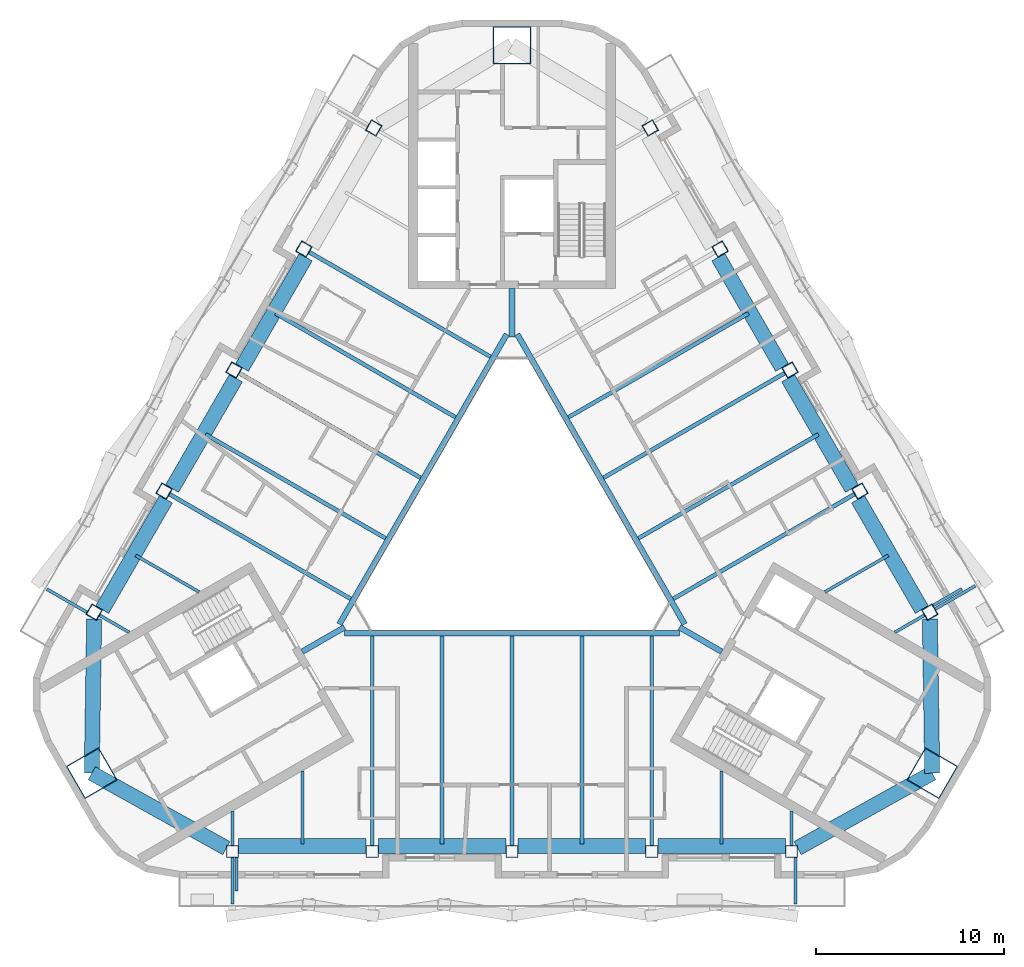
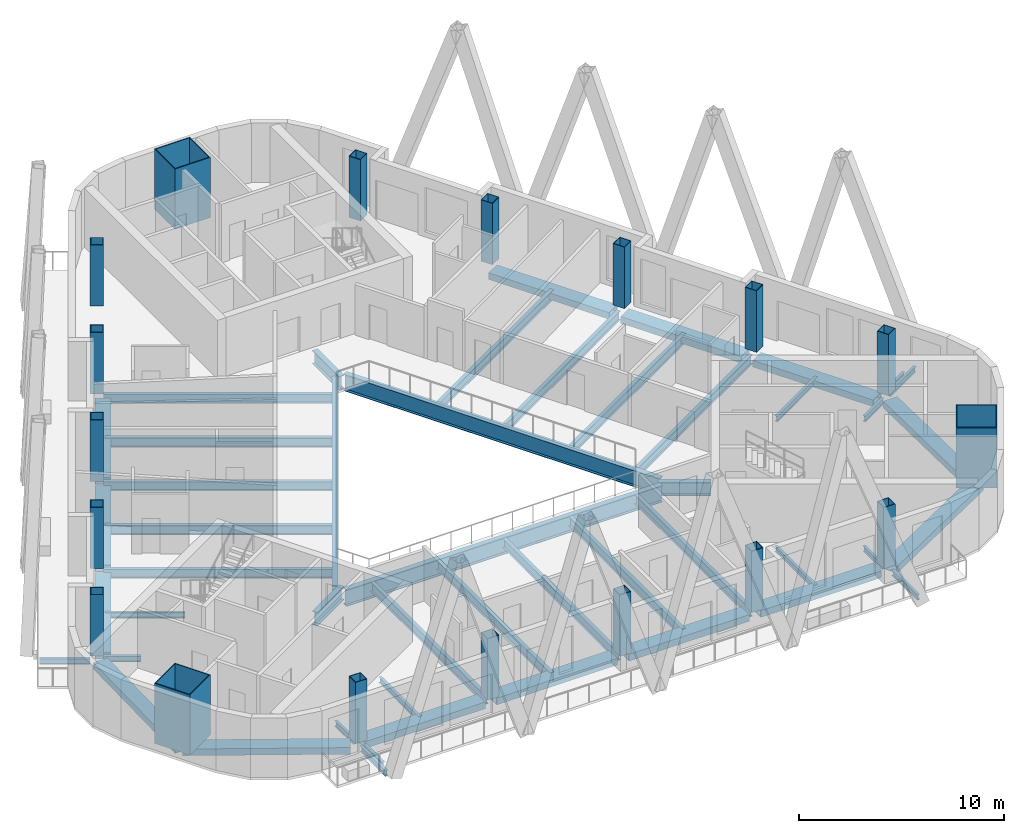
# One storey, part 1 of 14: 48 beams, 18 columns.
"""IFC4 building model written with IfcOpenShell, lengths in metres."""

from ifc_helpers import new_model, si_unit, direction, frame, origin, origin_2d, place, context, subcontext, project, spatial, rectangle, hollow_rectangle, i_section, extrude, boolean, halfspace, material, material_profile, profile_set, type_object, element, save


model = new_model("IFC4")

# Units and contexts
model_context = context("Model", 3, precision=1e-05, world=origin(), true_north=direction((0.0, 1.0)))
body_context = subcontext(model_context, "Body", "Model", "MODEL_VIEW")
ifc_project = project(units=[si_unit("LENGTHUNIT", "METRE"), si_unit("AREAUNIT", "SQUARE_METRE"), si_unit("VOLUMEUNIT", "CUBIC_METRE"), si_unit("PLANEANGLEUNIT", "RADIAN"), si_unit("MASSUNIT", "GRAM", prefix="KILO")], contexts=[model_context])

# Site, building, storey
site_placement = place(None, origin())
site = spatial("IfcSite", under=ifc_project, at=site_placement, CompositionType="ELEMENT")
building_placement = place(site_placement, origin())
building = spatial("IfcBuilding", under=site, at=building_placement, Name="Apuvela Tower Hotel", CompositionType="ELEMENT")
storey_placement = place(building_placement, frame((0.0, 0.0, 268.89990234375)))
storey = spatial("IfcBuildingStorey", under=building, at=storey_placement, Name="L66", CompositionType="ELEMENT", Elevation=268.89990234375)

# Columns
ifc_material_1 = material(Name="Steel S460", Category="steel")
ifc_material_profile_1 = material_profile(ifc_material_1, hollow_rectangle(XDim=2.0, YDim=2.0, WallThickness=0.050048828125, at=origin_2d()), Name="BOX 2000x2000x50")
ifc_material_2 = material(Name="Concrete C80/95", Category="concrete")
ifc_material_profile_2 = material_profile(ifc_material_2, rectangle(XDim=1.89990234375, YDim=1.89990234375, at=origin_2d()), Name="Concrete C80/95 infill")
ifc_profile_set_1 = profile_set([ifc_material_profile_1, ifc_material_profile_2], Name="Steel S460")
column_type_1 = type_object("IfcColumnType", Name="STR-MC mega column BOX 2000x2000x50", PredefinedType="COLUMN", material=ifc_profile_set_1)
for number, where, z_axis, x_axis, name in (
    (1, (0.0, 25.842529296875, 0.0), (0.0, 0.0, 1.0), (1.0, 0.0, 0.0), "Mega column MC4 N"),
    (2, (-22.38037109375, -12.92138671875, 0.0), (0.0, 0.0, 1.0), (-0.5, 0.866025403784, 0.0), "Mega column MC4 SW"),
    (3, (22.38037109375, -12.92138671875, 0.0), (0.0, 0.0, 1.0), (0.5, 0.866025403784, 0.0), "Mega column MC4 SE"),
):
    element("IfcColumn", number, at=place(storey_placement, frame(where, z_axis=z_axis, x_axis=x_axis)), inside=storey, type_object=column_type_1, Name=name, PredefinedType="COLUMN", context=body_context, shape_type="SweptSolid", body=[
        boolean("DIFFERENCE", extrude(hollow_rectangle(XDim=2.0, YDim=2.0, WallThickness=0.050048828125, at=origin_2d()), origin(), (0.0, 0.0, 1.0), 3.7001953125), halfspace(frame((0.0, 0.0, 0.11328125), z_axis=(0.0, 0.0, 1.0), x_axis=(1.0, 0.0, 0.0)), True)),
    ])
ifc_material_profile_3 = material_profile(ifc_material_1, hollow_rectangle(XDim=0.64990234375, YDim=0.64990234375, WallThickness=0.030029296875, at=origin_2d()), Name="BOX 650x650x30")
ifc_material_profile_4 = material_profile(ifc_material_2, rectangle(XDim=0.590087890625, YDim=0.590087890625, at=origin_2d()), Name="Concrete C80/95 infill")
ifc_profile_set_2 = profile_set([ifc_material_profile_3, ifc_material_profile_4], Name="Steel S460")
column_type_2 = type_object("IfcColumnType", Name="STR-PC perimeter column BOX 650x650x30", PredefinedType="COLUMN", material=ifc_profile_set_2)
column_1_placement = place(storey_placement, frame((-14.88720703125, -17.095703125, 0.0), z_axis=(0.0, 0.0, 1.0), x_axis=(-1.0, 0.0, 0.0)))
element("IfcColumn", 4, at=column_1_placement, inside=storey, type_object=column_type_2, Name="Perimeter column C6 S1", PredefinedType="COLUMN", context=body_context, shape_type="SweptSolid", body=[
    boolean("DIFFERENCE", extrude(hollow_rectangle(XDim=0.64990234375, YDim=0.64990234375, WallThickness=0.030029296875, at=origin_2d()), origin(), (0.0, 0.0, 1.0), 3.7001953125), halfspace(frame((0.0, 0.0, 0.046875), z_axis=(0.0, 0.0, 1.0), x_axis=(1.0, 0.0, 0.0)), True)),
])
column_2_placement = place(storey_placement, frame((-7.443603515625, -17.095703125, 0.0), z_axis=(0.0, 0.0, 1.0), x_axis=(-1.0, 0.0, 0.0)))
element("IfcColumn", 5, at=column_2_placement, inside=storey, type_object=column_type_2, Name="Perimeter column C6 S2", PredefinedType="COLUMN", context=body_context, shape_type="SweptSolid", body=[
    boolean("DIFFERENCE", extrude(hollow_rectangle(XDim=0.64990234375, YDim=0.64990234375, WallThickness=0.030029296875, at=origin_2d()), origin(), (0.0, 0.0, 1.0), 3.7001953125), halfspace(frame((0.0, 0.0, 0.039794921875), z_axis=(0.0, 0.0, 1.0), x_axis=(1.0, 0.0, 0.0)), True)),
])
column_3_placement = place(storey_placement, frame((0.0, -17.095703125, 0.0), z_axis=(0.0, 0.0, 1.0), x_axis=(-1.0, 0.0, 0.0)))
element("IfcColumn", 6, at=column_3_placement, inside=storey, type_object=column_type_2, Name="Perimeter column C6 S3", PredefinedType="COLUMN", context=body_context, shape_type="SweptSolid", body=[
    boolean("DIFFERENCE", extrude(hollow_rectangle(XDim=0.64990234375, YDim=0.64990234375, WallThickness=0.030029296875, at=origin_2d()), origin(), (0.0, 0.0, 1.0), 3.7001953125), halfspace(frame((0.0, 0.0, 0.037109375), z_axis=(0.0, 0.0, 1.0), x_axis=(1.0, 0.0, 0.0)), True)),
])
column_4_placement = place(storey_placement, frame((7.443603515625, -17.095703125, 0.0), z_axis=(0.0, 0.0, 1.0), x_axis=(-1.0, 0.0, 0.0)))
element("IfcColumn", 7, at=column_4_placement, inside=storey, type_object=column_type_2, Name="Perimeter column C6 S4", PredefinedType="COLUMN", context=body_context, shape_type="SweptSolid", body=[
    boolean("DIFFERENCE", extrude(hollow_rectangle(XDim=0.64990234375, YDim=0.64990234375, WallThickness=0.030029296875, at=origin_2d()), origin(), (0.0, 0.0, 1.0), 3.7001953125), halfspace(frame((0.0, 0.0, 0.039794921875), z_axis=(0.0, 0.0, 1.0), x_axis=(1.0, 0.0, 0.0)), True)),
])
for number, where, z_axis, x_axis, name in (
    (8, (14.88720703125, -17.095703125, 0.0), (0.0, 0.0, 1.0), (-1.0, 0.0, 0.0), "Perimeter column C6 S5"),
    (9, (22.2490234375, -4.3447265625, 0.0), (0.0, 0.0, 1.0), (-0.5, 0.866025403784, 0.0), "Perimeter column C6 NE1"),
):
    element("IfcColumn", number, at=place(storey_placement, frame(where, z_axis=z_axis, x_axis=x_axis)), inside=storey, type_object=column_type_2, Name=name, PredefinedType="COLUMN", context=body_context, shape_type="SweptSolid", body=[
        boolean("DIFFERENCE", extrude(hollow_rectangle(XDim=0.64990234375, YDim=0.64990234375, WallThickness=0.030029296875, at=origin_2d()), origin(), (0.0, 0.0, 1.0), 3.7001953125), halfspace(frame((0.0, 0.0, 0.046875), z_axis=(0.0, 0.0, 1.0), x_axis=(1.0, 0.0, 0.0)), True)),
    ])
column_5_placement = place(storey_placement, frame((18.527099609375, 2.1015625, 0.0), z_axis=(0.0, 0.0, 1.0), x_axis=(-0.5, 0.866025403784, 0.0)))
element("IfcColumn", 10, at=column_5_placement, inside=storey, type_object=column_type_2, Name="Perimeter column C6 NE2", PredefinedType="COLUMN", context=body_context, shape_type="SweptSolid", body=[
    boolean("DIFFERENCE", extrude(hollow_rectangle(XDim=0.64990234375, YDim=0.64990234375, WallThickness=0.030029296875, at=origin_2d()), origin(), (0.0, 0.0, 1.0), 3.7001953125), halfspace(frame((0.0, 0.0, 0.039794921875), z_axis=(0.0, 0.0, 1.0), x_axis=(1.0, 0.0, 0.0)), True)),
])
column_6_placement = place(storey_placement, frame((14.805419921875, 8.5478515625, 0.0), z_axis=(0.0, 0.0, 1.0), x_axis=(-0.5, 0.866025403784, 0.0)))
element("IfcColumn", 11, at=column_6_placement, inside=storey, type_object=column_type_2, Name="Perimeter column C6 NE3", PredefinedType="COLUMN", context=body_context, shape_type="SweptSolid", body=[
    boolean("DIFFERENCE", extrude(hollow_rectangle(XDim=0.64990234375, YDim=0.64990234375, WallThickness=0.030029296875, at=origin_2d()), origin(), (0.0, 0.0, 1.0), 3.7001953125), halfspace(frame((0.0, 0.0, 0.037109375), z_axis=(0.0, 0.0, 1.0), x_axis=(1.0, 0.0, 0.0)), True)),
])
column_7_placement = place(storey_placement, frame((11.08349609375, 14.994140625, 0.0), z_axis=(0.0, 0.0, 1.0), x_axis=(-0.5, 0.866025403784, 0.0)))
element("IfcColumn", 12, at=column_7_placement, inside=storey, type_object=column_type_2, Name="Perimeter column C6 NE4", PredefinedType="COLUMN", context=body_context, shape_type="SweptSolid", body=[
    boolean("DIFFERENCE", extrude(hollow_rectangle(XDim=0.64990234375, YDim=0.64990234375, WallThickness=0.030029296875, at=origin_2d()), origin(), (0.0, 0.0, 1.0), 3.7001953125), halfspace(frame((0.0, 0.0, 0.039794921875), z_axis=(0.0, 0.0, 1.0), x_axis=(1.0, 0.0, 0.0)), True)),
])
for number, where, z_axis, x_axis, name in (
    (13, (7.36181640625, 21.4404296875, 0.0), (0.0, 0.0, 1.0), (-0.5, 0.866025403784, 0.0), "Perimeter column C6 NE5"),
    (14, (-7.36181640625, 21.4404296875, 0.0), (0.0, 0.0, 1.0), (0.5, 0.866025403784, 0.0), "Perimeter column C6 NW1"),
):
    element("IfcColumn", number, at=place(storey_placement, frame(where, z_axis=z_axis, x_axis=x_axis)), inside=storey, type_object=column_type_2, Name=name, PredefinedType="COLUMN", context=body_context, shape_type="SweptSolid", body=[
        boolean("DIFFERENCE", extrude(hollow_rectangle(XDim=0.64990234375, YDim=0.64990234375, WallThickness=0.030029296875, at=origin_2d()), origin(), (0.0, 0.0, 1.0), 3.7001953125), halfspace(frame((0.0, 0.0, 0.046875), z_axis=(0.0, 0.0, 1.0), x_axis=(1.0, 0.0, 0.0)), True)),
    ])
column_8_placement = place(storey_placement, frame((-11.08349609375, 14.994140625, 0.0), z_axis=(0.0, 0.0, 1.0), x_axis=(0.5, 0.866025403784, 0.0)))
element("IfcColumn", 15, at=column_8_placement, inside=storey, type_object=column_type_2, Name="Perimeter column C6 NW2", PredefinedType="COLUMN", context=body_context, shape_type="SweptSolid", body=[
    boolean("DIFFERENCE", extrude(hollow_rectangle(XDim=0.64990234375, YDim=0.64990234375, WallThickness=0.030029296875, at=origin_2d()), origin(), (0.0, 0.0, 1.0), 3.7001953125), halfspace(frame((0.0, 0.0, 0.039794921875), z_axis=(0.0, 0.0, 1.0), x_axis=(1.0, 0.0, 0.0)), True)),
])
column_9_placement = place(storey_placement, frame((-14.805419921875, 8.5478515625, 0.0), z_axis=(0.0, 0.0, 1.0), x_axis=(0.5, 0.866025403784, 0.0)))
element("IfcColumn", 16, at=column_9_placement, inside=storey, type_object=column_type_2, Name="Perimeter column C6 NW3", PredefinedType="COLUMN", context=body_context, shape_type="SweptSolid", body=[
    boolean("DIFFERENCE", extrude(hollow_rectangle(XDim=0.64990234375, YDim=0.64990234375, WallThickness=0.030029296875, at=origin_2d()), origin(), (0.0, 0.0, 1.0), 3.7001953125), halfspace(frame((0.0, 0.0, 0.037109375), z_axis=(0.0, 0.0, 1.0), x_axis=(1.0, 0.0, 0.0)), True)),
])
column_10_placement = place(storey_placement, frame((-18.527099609375, 2.1015625, 0.0), z_axis=(0.0, 0.0, 1.0), x_axis=(0.5, 0.866025403784, 0.0)))
element("IfcColumn", 17, at=column_10_placement, inside=storey, type_object=column_type_2, Name="Perimeter column C6 NW4", PredefinedType="COLUMN", context=body_context, shape_type="SweptSolid", body=[
    boolean("DIFFERENCE", extrude(hollow_rectangle(XDim=0.64990234375, YDim=0.64990234375, WallThickness=0.030029296875, at=origin_2d()), origin(), (0.0, 0.0, 1.0), 3.7001953125), halfspace(frame((0.0, 0.0, 0.039794921875), z_axis=(0.0, 0.0, 1.0), x_axis=(1.0, 0.0, 0.0)), True)),
])
column_11_placement = place(storey_placement, frame((-22.2490234375, -4.3447265625, 0.0), z_axis=(0.0, 0.0, 1.0), x_axis=(0.5, 0.866025403784, 0.0)))
element("IfcColumn", 18, at=column_11_placement, inside=storey, type_object=column_type_2, Name="Perimeter column C6 NW5", PredefinedType="COLUMN", context=body_context, shape_type="SweptSolid", body=[
    boolean("DIFFERENCE", extrude(hollow_rectangle(XDim=0.64990234375, YDim=0.64990234375, WallThickness=0.030029296875, at=origin_2d()), origin(), (0.0, 0.0, 1.0), 3.7001953125), halfspace(frame((0.0, 0.0, 0.046875), z_axis=(0.0, 0.0, 1.0), x_axis=(1.0, 0.0, 0.0)), True)),
])

# Beams
ifc_material_3 = material(Name="Steel S355", Category="steel")
ifc_material_profile_5 = material_profile(ifc_material_3, i_section(OverallWidth=0.159912109375, OverallDepth=0.330078125, WebThickness=0.007568359375, FlangeThickness=0.011474609375, at=origin_2d()), Name="IPE 330")
ifc_profile_set_3 = profile_set([ifc_material_profile_5], Name="Steel S355")
beam_type_1 = type_object("IfcBeamType", Name="ENV-BALCONY-BEAM-IPE330", PredefinedType="BEAM", material=ifc_profile_set_3)
beam_1_placement = place(storey_placement, frame((-14.88720703125, -17.4208984375, -0.31494140625), z_axis=(0.0, -1.0, 0.0), x_axis=(1.0, 0.0, 0.0)))
element("IfcBeam", 19, at=beam_1_placement, inside=storey, type_object=beam_type_1, Name="Balcony cantilever beam S1 L66", PredefinedType="BEAM", context=body_context, shape_type="SweptSolid", body=[
    extrude(i_section(OverallWidth=0.159912109375, OverallDepth=0.330078125, WebThickness=0.007568359375, FlangeThickness=0.011474609375, at=origin_2d()), origin(), (0.0, 0.0, 1.0), 2.474853515625),
])
beam_2_placement = place(storey_placement, frame((-14.6669921875, -17.4208984375, -0.31494140625), z_axis=(0.0, -1.0, 0.0), x_axis=(1.0, 0.0, 0.0)))
element("IfcBeam", 20, at=beam_2_placement, inside=storey, type_object=beam_type_1, Name="Balcony cantilever beam S2 L66", PredefinedType="BEAM", context=body_context, shape_type="SweptSolid", body=[
    extrude(i_section(OverallWidth=0.159912109375, OverallDepth=0.330078125, WebThickness=0.007568359375, FlangeThickness=0.011474609375, at=origin_2d()), origin(), (0.0, 0.0, 1.0), 1.77490234375),
])
for number, where, z_axis, x_axis, name in (
    (21, (15.087158203125, -17.4208984375, -0.31494140625), (0.0, -1.0, 0.0), (1.0, 0.0, 0.0), "Balcony cantilever beam S3 L66"),
    (22, (22.530517578125, -4.18212890625, -0.31494140625), (0.866006523861, 0.500032699561, 0.0), (-0.500032699561, 0.866006523861, 0.0), "Balcony cantilever beam NE1 L66"),
):
    element("IfcBeam", number, at=place(storey_placement, frame(where, z_axis=z_axis, x_axis=x_axis)), inside=storey, type_object=beam_type_1, Name=name, PredefinedType="BEAM", context=body_context, shape_type="SweptSolid", body=[
        extrude(i_section(OverallWidth=0.159912109375, OverallDepth=0.330078125, WebThickness=0.007568359375, FlangeThickness=0.011474609375, at=origin_2d()), origin(), (0.0, 0.0, 1.0), 2.474853515625),
    ])
beam_3_placement = place(storey_placement, frame((22.42041015625, -3.99169921875, -0.31494140625), z_axis=(0.866025242659, 0.500000279077, 0.0), x_axis=(-0.500000279077, 0.866025242659, 0.0)))
element("IfcBeam", 23, at=beam_3_placement, inside=storey, type_object=beam_type_1, Name="Balcony cantilever beam NE2 L66", PredefinedType="BEAM", context=body_context, shape_type="SweptSolid", body=[
    extrude(i_section(OverallWidth=0.159912109375, OverallDepth=0.330078125, WebThickness=0.007568359375, FlangeThickness=0.011474609375, at=origin_2d()), origin(), (0.0, 0.0, 1.0), 1.77490234375),
])
beam_4_placement = place(storey_placement, frame((-22.63037109375, -4.35546875, -0.31494140625), z_axis=(-0.866006523861, 0.500032699561, 0.0), x_axis=(-0.500032699561, -0.866006523861, 0.0)))
element("IfcBeam", 24, at=beam_4_placement, inside=storey, type_object=beam_type_1, Name="Balcony cantilever beam NW3 L66", PredefinedType="BEAM", context=body_context, shape_type="SweptSolid", body=[
    extrude(i_section(OverallWidth=0.159912109375, OverallDepth=0.330078125, WebThickness=0.007568359375, FlangeThickness=0.011474609375, at=origin_2d()), origin(), (0.0, 0.0, 1.0), 2.474853515625),
])
ifc_material_profile_6 = material_profile(ifc_material_3, i_section(OverallWidth=0.159912109375, OverallDepth=0.330078125, WebThickness=0.007568359375, FlangeThickness=0.011474609375, at=origin_2d()), Name="IPE 330")
ifc_profile_set_4 = profile_set([ifc_material_profile_6], Name="Steel S355")
beam_type_2 = type_object("IfcBeamType", Name="STR-B floor beam IPE 330", PredefinedType="BEAM", material=ifc_profile_set_4)
beam_5_placement = place(storey_placement, frame((21.967529296875, -4.507080078125, -0.31494140625), z_axis=(-0.865978377894, -0.500081442387, 0.0), x_axis=(0.500081442387, -0.865978377894, 0.0)))
element("IfcBeam", 25, at=beam_5_placement, inside=storey, type_object=beam_type_2, Name="Floor beam B1 NE1", PredefinedType="BEAM", context=body_context, shape_type="SweptSolid", body=[
    extrude(i_section(OverallWidth=0.159912109375, OverallDepth=0.330078125, WebThickness=0.007568359375, FlangeThickness=0.011474609375, at=origin_2d()), origin(), (0.0, 0.0, 1.0), 1.824951171875),
])
for number, where, z_axis, x_axis, name in (
    (26, (20.041748046875, -1.321533203125, -0.31494140625), (-0.866018739521, -0.500011542666, 0.0), (0.500011542666, -0.866018739521, 0.0), "Floor beam B1 NE2"),
    (27, (-20.041748046875, -1.321533203125, -0.31494140625), (0.866018739521, -0.500011542666, 0.0), (0.500011542666, 0.866018739521, 0.0), "Floor beam B1 NW8"),
):
    element("IfcBeam", number, at=place(storey_placement, frame(where, z_axis=z_axis, x_axis=x_axis)), inside=storey, type_object=beam_type_2, Name=name, PredefinedType="BEAM", context=body_context, shape_type="SweptSolid", body=[
        extrude(i_section(OverallWidth=0.159912109375, OverallDepth=0.330078125, WebThickness=0.007568359375, FlangeThickness=0.011474609375, at=origin_2d()), origin(), (0.0, 0.0, 1.0), 3.89892578125),
    ])
for number, where, z_axis, x_axis, name in (
    (28, (-21.967529296875, -4.507080078125, -0.31494140625), (0.865978377894, -0.500081442387, 0.0), (0.500081442387, 0.865978377894, 0.0), "Floor beam B1 NW9"),
    (29, (-14.88720703125, -16.770751953125, -0.31494140625), (0.0, 1.0, 0.0), (-1.0, 0.0, 0.0), "Floor beam B1 S1"),
):
    element("IfcBeam", number, at=place(storey_placement, frame(where, z_axis=z_axis, x_axis=x_axis)), inside=storey, type_object=beam_type_2, Name=name, PredefinedType="BEAM", context=body_context, shape_type="SweptSolid", body=[
        extrude(i_section(OverallWidth=0.159912109375, OverallDepth=0.330078125, WebThickness=0.007568359375, FlangeThickness=0.011474609375, at=origin_2d()), origin(), (0.0, 0.0, 1.0), 1.824951171875),
    ])
for number, where, z_axis, x_axis, name in (
    (30, (-11.165283203125, -16.69580078125, -0.31494140625), (0.0, 1.0, 0.0), (-1.0, 0.0, 0.0), "Floor beam B1 S2"),
    (31, (11.165283203125, -16.69580078125, -0.31494140625), (0.0, 1.0, 0.0), (-1.0, 0.0, 0.0), "Floor beam B1 S8"),
):
    element("IfcBeam", number, at=place(storey_placement, frame(where, z_axis=z_axis, x_axis=x_axis)), inside=storey, type_object=beam_type_2, Name=name, PredefinedType="BEAM", context=body_context, shape_type="SweptSolid", body=[
        extrude(i_section(OverallWidth=0.159912109375, OverallDepth=0.330078125, WebThickness=0.007568359375, FlangeThickness=0.011474609375, at=origin_2d()), origin(), (0.0, 0.0, 1.0), 3.898681640625),
    ])
beam_6_placement = place(storey_placement, frame((14.88720703125, -16.770751953125, -0.31494140625), z_axis=(0.0, 1.0, 0.0), x_axis=(-1.0, 0.0, 0.0)))
element("IfcBeam", 32, at=beam_6_placement, inside=storey, type_object=beam_type_2, Name="Floor beam B1 S9", PredefinedType="BEAM", context=body_context, shape_type="SweptSolid", body=[
    extrude(i_section(OverallWidth=0.159912109375, OverallDepth=0.330078125, WebThickness=0.007568359375, FlangeThickness=0.011474609375, at=origin_2d()), origin(), (0.0, 0.0, 1.0), 1.824951171875),
])
ifc_material_profile_7 = material_profile(ifc_material_3, i_section(OverallWidth=0.2099609375, OverallDepth=0.550048828125, WebThickness=0.010986328125, FlangeThickness=0.01708984375, at=origin_2d()), Name="IPE 550")
ifc_profile_set_5 = profile_set([ifc_material_profile_7], Name="Steel S355")
beam_type_3 = type_object("IfcBeamType", Name="STR-B floor beam IPE 550", PredefinedType="BEAM", material=ifc_profile_set_5)
beam_7_placement = place(storey_placement, frame((18.24560546875, 1.939208984375, -0.4248046875), z_axis=(-0.866020782377, -0.500008004428, 0.0), x_axis=(0.500008004428, -0.866020782377, 0.0)))
element("IfcBeam", 33, at=beam_7_placement, inside=storey, type_object=beam_type_3, Name="Floor beam B7 NE3", PredefinedType="BEAM", context=body_context, shape_type="SweptSolid", body=[
    extrude(i_section(OverallWidth=0.2099609375, OverallDepth=0.550048828125, WebThickness=0.010986328125, FlangeThickness=0.01708984375, at=origin_2d()), origin(), (0.0, 0.0, 1.0), 11.150634765625),
])
beam_8_placement = place(storey_placement, frame((16.31982421875, 5.124755859375, -0.4248046875), z_axis=(-0.866024806044, -0.500001035316, 0.0), x_axis=(0.500001035316, -0.866024806044, 0.0)))
element("IfcBeam", 34, at=beam_8_placement, inside=storey, type_object=beam_type_3, Name="Floor beam B7 NE4", PredefinedType="BEAM", context=body_context, shape_type="SweptSolid", body=[
    extrude(i_section(OverallWidth=0.2099609375, OverallDepth=0.550048828125, WebThickness=0.010986328125, FlangeThickness=0.01708984375, at=origin_2d()), origin(), (0.0, 0.0, 1.0), 11.07568359375),
])
beam_9_placement = place(storey_placement, frame((14.52392578125, 8.385498046875, -0.4248046875), z_axis=(-0.866020782377, -0.500008004428, 0.0), x_axis=(0.500008004428, -0.866020782377, 0.0)))
element("IfcBeam", 35, at=beam_9_placement, inside=storey, type_object=beam_type_3, Name="Floor beam B7 NE5", PredefinedType="BEAM", context=body_context, shape_type="SweptSolid", body=[
    extrude(i_section(OverallWidth=0.2099609375, OverallDepth=0.550048828125, WebThickness=0.010986328125, FlangeThickness=0.01708984375, at=origin_2d()), origin(), (0.0, 0.0, 1.0), 11.150634765625),
])
beam_10_placement = place(storey_placement, frame((12.59814453125, 11.571044921875, -0.4248046875), z_axis=(-0.866030316655, -0.499991490562, 0.0), x_axis=(0.499991490562, -0.866030316655, 0.0)))
element("IfcBeam", 36, at=beam_10_placement, inside=storey, type_object=beam_type_3, Name="Floor beam B7 NE6", PredefinedType="BEAM", context=body_context, shape_type="SweptSolid", body=[
    extrude(i_section(OverallWidth=0.2099609375, OverallDepth=0.550048828125, WebThickness=0.010986328125, FlangeThickness=0.01708984375, at=origin_2d()), origin(), (0.0, 0.0, 1.0), 11.075927734375),
])
beam_11_placement = place(storey_placement, frame((-10.80224609375, 14.831787109375, -0.4248046875), z_axis=(0.866026256057, -0.499998523817, 0.0), x_axis=(0.499998523817, 0.866026256057, 0.0)))
element("IfcBeam", 37, at=beam_11_placement, inside=storey, type_object=beam_type_3, Name="Floor beam B7 NW3", PredefinedType="BEAM", context=body_context, shape_type="SweptSolid", body=[
    extrude(i_section(OverallWidth=0.2099609375, OverallDepth=0.550048828125, WebThickness=0.010986328125, FlangeThickness=0.01708984375, at=origin_2d()), origin(), (0.0, 0.0, 1.0), 11.15087890625),
])
beam_12_placement = place(storey_placement, frame((-12.59814453125, 11.571044921875, -0.4248046875), z_axis=(0.866030316655, -0.499991490562, 0.0), x_axis=(0.499991490562, 0.866030316655, 0.0)))
element("IfcBeam", 38, at=beam_12_placement, inside=storey, type_object=beam_type_3, Name="Floor beam B7 NW4", PredefinedType="BEAM", context=body_context, shape_type="SweptSolid", body=[
    extrude(i_section(OverallWidth=0.2099609375, OverallDepth=0.550048828125, WebThickness=0.010986328125, FlangeThickness=0.01708984375, at=origin_2d()), origin(), (0.0, 0.0, 1.0), 11.075927734375),
])
beam_13_placement = place(storey_placement, frame((-14.52392578125, 8.385498046875, -0.4248046875), z_axis=(0.866020782377, -0.500008004428, 0.0), x_axis=(0.500008004428, 0.866020782377, 0.0)))
element("IfcBeam", 39, at=beam_13_placement, inside=storey, type_object=beam_type_3, Name="Floor beam B7 NW5", PredefinedType="BEAM", context=body_context, shape_type="SweptSolid", body=[
    extrude(i_section(OverallWidth=0.2099609375, OverallDepth=0.550048828125, WebThickness=0.010986328125, FlangeThickness=0.01708984375, at=origin_2d()), origin(), (0.0, 0.0, 1.0), 11.150634765625),
])
beam_14_placement = place(storey_placement, frame((-16.31982421875, 5.124755859375, -0.4248046875), z_axis=(0.866024806044, -0.500001035316, 0.0), x_axis=(0.500001035316, 0.866024806044, 0.0)))
element("IfcBeam", 40, at=beam_14_placement, inside=storey, type_object=beam_type_3, Name="Floor beam B7 NW6", PredefinedType="BEAM", context=body_context, shape_type="SweptSolid", body=[
    extrude(i_section(OverallWidth=0.2099609375, OverallDepth=0.550048828125, WebThickness=0.010986328125, FlangeThickness=0.01708984375, at=origin_2d()), origin(), (0.0, 0.0, 1.0), 11.07568359375),
])
for number, where, z_axis, x_axis, name in (
    (41, (-18.24560546875, 1.939208984375, -0.4248046875), (0.866020782377, -0.500008004428, 0.0), (0.500008004428, 0.866020782377, 0.0), "Floor beam B7 NW7"),
    (42, (-7.443603515625, -16.770751953125, -0.4248046875), (0.0, 1.0, 0.0), (-1.0, 0.0, 0.0), "Floor beam B7 S3"),
):
    element("IfcBeam", number, at=place(storey_placement, frame(where, z_axis=z_axis, x_axis=x_axis)), inside=storey, type_object=beam_type_3, Name=name, PredefinedType="BEAM", context=body_context, shape_type="SweptSolid", body=[
        extrude(i_section(OverallWidth=0.2099609375, OverallDepth=0.550048828125, WebThickness=0.010986328125, FlangeThickness=0.01708984375, at=origin_2d()), origin(), (0.0, 0.0, 1.0), 11.150634765625),
    ])
beam_15_placement = place(storey_placement, frame((-3.7216796875, -16.69580078125, -0.4248046875), z_axis=(0.0, 1.0, 0.0), x_axis=(-1.0, 0.0, 0.0)))
element("IfcBeam", 43, at=beam_15_placement, inside=storey, type_object=beam_type_3, Name="Floor beam B7 S4", PredefinedType="BEAM", context=body_context, shape_type="SweptSolid", body=[
    extrude(i_section(OverallWidth=0.2099609375, OverallDepth=0.550048828125, WebThickness=0.010986328125, FlangeThickness=0.01708984375, at=origin_2d()), origin(), (0.0, 0.0, 1.0), 11.07568359375),
])
beam_16_placement = place(storey_placement, frame((0.0, -16.770751953125, -0.4248046875), z_axis=(0.0, 1.0, 0.0), x_axis=(-1.0, 0.0, 0.0)))
element("IfcBeam", 44, at=beam_16_placement, inside=storey, type_object=beam_type_3, Name="Floor beam B7 S5", PredefinedType="BEAM", context=body_context, shape_type="SweptSolid", body=[
    extrude(i_section(OverallWidth=0.2099609375, OverallDepth=0.550048828125, WebThickness=0.010986328125, FlangeThickness=0.01708984375, at=origin_2d()), origin(), (0.0, 0.0, 1.0), 11.150634765625),
])
beam_17_placement = place(storey_placement, frame((3.7216796875, -16.69580078125, -0.4248046875), z_axis=(0.0, 1.0, 0.0), x_axis=(-1.0, 0.0, 0.0)))
element("IfcBeam", 45, at=beam_17_placement, inside=storey, type_object=beam_type_3, Name="Floor beam B7 S6", PredefinedType="BEAM", context=body_context, shape_type="SweptSolid", body=[
    extrude(i_section(OverallWidth=0.2099609375, OverallDepth=0.550048828125, WebThickness=0.010986328125, FlangeThickness=0.01708984375, at=origin_2d()), origin(), (0.0, 0.0, 1.0), 11.07568359375),
])
beam_18_placement = place(storey_placement, frame((7.443603515625, -16.770751953125, -0.4248046875), z_axis=(0.0, 1.0, 0.0), x_axis=(-1.0, 0.0, 0.0)))
element("IfcBeam", 46, at=beam_18_placement, inside=storey, type_object=beam_type_3, Name="Floor beam B7 S7", PredefinedType="BEAM", context=body_context, shape_type="SweptSolid", body=[
    extrude(i_section(OverallWidth=0.2099609375, OverallDepth=0.550048828125, WebThickness=0.010986328125, FlangeThickness=0.01708984375, at=origin_2d()), origin(), (0.0, 0.0, 1.0), 11.150634765625),
])
ifc_material_profile_8 = material_profile(ifc_material_3, i_section(OverallWidth=0.300048828125, OverallDepth=0.989990234375, WebThickness=0.0166015625, FlangeThickness=0.031005859375, at=origin_2d()), Name="HE 1000 A")
ifc_profile_set_6 = profile_set([ifc_material_profile_8], Name="Steel S355")
beam_type_4 = type_object("IfcBeamType", Name="STR-G atrium ring girder HE 1000 A", PredefinedType="BEAM", material=ifc_profile_set_6)
beam_19_placement = place(storey_placement, frame((-0.27978515625, 10.455078125, -0.64501953125), z_axis=(-0.500006541319, -0.866021627119, 0.0), x_axis=(0.866021627119, -0.500006541319, 0.0)))
element("IfcBeam", 47, at=beam_19_placement, inside=storey, type_object=beam_type_4, Name="Atrium ring girder G3 N-SW", PredefinedType="BEAM", context=body_context, shape_type="SweptSolid", body=[
    extrude(i_section(OverallWidth=0.300048828125, OverallDepth=0.989990234375, WebThickness=0.0166015625, FlangeThickness=0.031005859375, at=origin_2d()), origin(), (0.0, 0.0, 1.0), 17.828857421875),
])
beam_20_placement = place(storey_placement, frame((-8.91455078125, -5.469970703125, -0.64501953125), z_axis=(1.0, 0.0, 0.0), x_axis=(0.0, 1.0, 0.0)))
element("IfcBeam", 48, at=beam_20_placement, inside=storey, type_object=beam_type_4, Name="Atrium ring girder G3 SW-SE", PredefinedType="BEAM", context=body_context, shape_type="SweptSolid", body=[
    extrude(i_section(OverallWidth=0.300048828125, OverallDepth=0.989990234375, WebThickness=0.0166015625, FlangeThickness=0.031005859375, at=origin_2d()), origin(), (0.0, 0.0, 1.0), 17.8291015625),
])
beam_21_placement = place(storey_placement, frame((9.1943359375, -4.985107421875, -0.64501953125), z_axis=(-0.500006541319, 0.866021627119, 0.0), x_axis=(-0.866021627119, -0.500006541319, 0.0)))
element("IfcBeam", 49, at=beam_21_placement, inside=storey, type_object=beam_type_4, Name="Atrium ring girder G3 SE-N", PredefinedType="BEAM", context=body_context, shape_type="SweptSolid", body=[
    extrude(i_section(OverallWidth=0.300048828125, OverallDepth=0.989990234375, WebThickness=0.0166015625, FlangeThickness=0.031005859375, at=origin_2d()), origin(), (0.0, 0.0, 1.0), 17.828857421875),
])
ifc_material_profile_9 = material_profile(ifc_material_3, i_section(OverallWidth=0.300048828125, OverallDepth=0.800048828125, WebThickness=0.017578125, FlangeThickness=0.032958984375, at=origin_2d()), Name="HE 800 B")
ifc_profile_set_7 = profile_set([ifc_material_profile_9], Name="Steel S355")
beam_type_5 = type_object("IfcBeamType", Name="STR-GT core tie beam HE 800 B", PredefinedType="BEAM", material=ifc_profile_set_7)
for number, where, z_axis, x_axis, name in (
    (50, (0.0, 12.89990234375, -0.5498046875), (0.0, -1.0, 0.0), (1.0, 0.0, 0.0), "Core tie beam GT1 N"),
    (51, (-11.171630859375, -6.449951171875, -0.5498046875), (0.865997922154, 0.500047596559, 0.0), (-0.500047596559, 0.865997922154, 0.0), "Core tie beam GT1 SW"),
    (52, (11.171630859375, -6.449951171875, -0.5498046875), (-0.865997922154, 0.500047596559, 0.0), (-0.500047596559, -0.865997922154, 0.0), "Core tie beam GT1 SE"),
):
    element("IfcBeam", number, at=place(storey_placement, frame(where, z_axis=z_axis, x_axis=x_axis)), inside=storey, type_object=beam_type_5, Name=name, PredefinedType="BEAM", context=body_context, shape_type="SweptSolid", body=[
        extrude(i_section(OverallWidth=0.300048828125, OverallDepth=0.800048828125, WebThickness=0.017578125, FlangeThickness=0.032958984375, at=origin_2d()), origin(), (0.0, 0.0, 1.0), 2.599853515625),
    ])
ifc_material_profile_10 = material_profile(ifc_material_1, hollow_rectangle(XDim=0.800048828125, YDim=0.39990234375, WallThickness=0.02490234375, at=origin_2d()), Name="BOX 800x400x25")
ifc_profile_set_8 = profile_set([ifc_material_profile_10], Name="Steel S460")
beam_type_6 = type_object("IfcBeamType", Name="STR-RB perimeter ring beam BOX 800x400x25", PredefinedType="SPANDREL", material=ifc_profile_set_8)
beam_22_placement = place(storey_placement, frame((-14.56201171875, -16.7958984375, -0.39990234375), z_axis=(1.0, 0.0, 0.0), x_axis=(0.0, 1.0, 0.0)))
element("IfcBeam", 53, at=beam_22_placement, inside=storey, type_object=beam_type_6, Name="Ring beam RB1 S1", PredefinedType="SPANDREL", context=body_context, shape_type="SweptSolid", body=[
    extrude(hollow_rectangle(XDim=0.800048828125, YDim=0.39990234375, WallThickness=0.02490234375, at=origin_2d()), origin(), (0.0, 0.0, 1.0), 6.79345703125),
])
for number, where, z_axis, x_axis, name in (
    (54, (-7.11865234375, -16.7958984375, -0.39990234375), (1.0, 0.0, 0.0), (0.0, 1.0, 0.0), "Ring beam RB1 S2"),
    (55, (0.324951171875, -16.7958984375, -0.39990234375), (1.0, 0.0, 0.0), (0.0, 1.0, 0.0), "Ring beam RB1 S3"),
):
    element("IfcBeam", number, at=place(storey_placement, frame(where, z_axis=z_axis, x_axis=x_axis)), inside=storey, type_object=beam_type_6, Name=name, PredefinedType="SPANDREL", context=body_context, shape_type="SweptSolid", body=[
        extrude(hollow_rectangle(XDim=0.800048828125, YDim=0.39990234375, WallThickness=0.02490234375, at=origin_2d()), origin(), (0.0, 0.0, 1.0), 6.793701171875),
    ])
for number, where, z_axis, x_axis, name in (
    (56, (7.7685546875, -16.7958984375, -0.39990234375), (1.0, 0.0, 0.0), (0.0, 1.0, 0.0), "Ring beam RB1 S4"),
    (57, (21.82666015625, -4.213134765625, -0.39990234375), (-0.500000356135, 0.86602519817, 0.0), (-0.86602519817, -0.500000356135, 0.0), "Ring beam RB1 NE1"),
    (58, (18.10498046875, 2.233154296875, -0.39990234375), (-0.500027308624, 0.866009636569, 0.0), (-0.866009636569, -0.500027308624, 0.0), "Ring beam RB1 NE2"),
    (59, (14.383056640625, 8.679443359375, -0.39990234375), (-0.500000356135, 0.86602519817, 0.0), (-0.86602519817, -0.500000356135, 0.0), "Ring beam RB1 NE3"),
    (60, (-10.986328125, 14.562744140625, -0.39990234375), (-0.500000356135, -0.86602519817, 0.0), (0.86602519817, -0.500000356135, 0.0), "Ring beam RB1 NW2"),
    (61, (-14.7080078125, 8.116455078125, -0.39990234375), (-0.500027308624, -0.866009636569, 0.0), (0.866009636569, -0.500027308624, 0.0), "Ring beam RB1 NW3"),
    (62, (-18.429931640625, 1.670166015625, -0.39990234375), (-0.500000356135, -0.86602519817, 0.0), (0.86602519817, -0.500000356135, 0.0), "Ring beam RB1 NW4"),
):
    element("IfcBeam", number, at=place(storey_placement, frame(where, z_axis=z_axis, x_axis=x_axis)), inside=storey, type_object=beam_type_6, Name=name, PredefinedType="SPANDREL", context=body_context, shape_type="SweptSolid", body=[
        extrude(hollow_rectangle(XDim=0.800048828125, YDim=0.39990234375, WallThickness=0.02490234375, at=origin_2d()), origin(), (0.0, 0.0, 1.0), 6.79345703125),
    ])
for number, where, z_axis, x_axis, name in (
    (63, (-15.212158203125, -16.914794921875, -0.39990234375), (-0.873584059501, 0.486673289781, 0.0), (-0.486673289781, -0.873584059501, 0.0), "Ring beam RB1 S1-SW"),
    (64, (15.212158203125, -16.914794921875, -0.39990234375), (0.873584059501, 0.486673289781, 0.0), (-0.486673289781, 0.873584059501, 0.0), "Ring beam RB1 S5-SE"),
    (65, (22.254638671875, -4.716796875, -0.39990234375), (0.01532284527, -0.999882598315, 0.0), (0.999882598315, 0.01532284527, 0.0), "Ring beam RB1 NE1-SE"),
    (66, (-22.254638671875, -4.716796875, -0.39990234375), (-0.01532284527, -0.999882598315, 0.0), (0.999882598315, -0.01532284527, 0.0), "Ring beam RB1 NW5-SW"),
):
    element("IfcBeam", number, at=place(storey_placement, frame(where, z_axis=z_axis, x_axis=x_axis)), inside=storey, type_object=beam_type_6, Name=name, PredefinedType="SPANDREL", context=body_context, shape_type="SweptSolid", body=[
        extrude(hollow_rectangle(XDim=0.800048828125, YDim=0.39990234375, WallThickness=0.02490234375, at=origin_2d()), origin(), (0.0, 0.0, 1.0), 8.20556640625),
    ])

save(model, "model.ifc")
